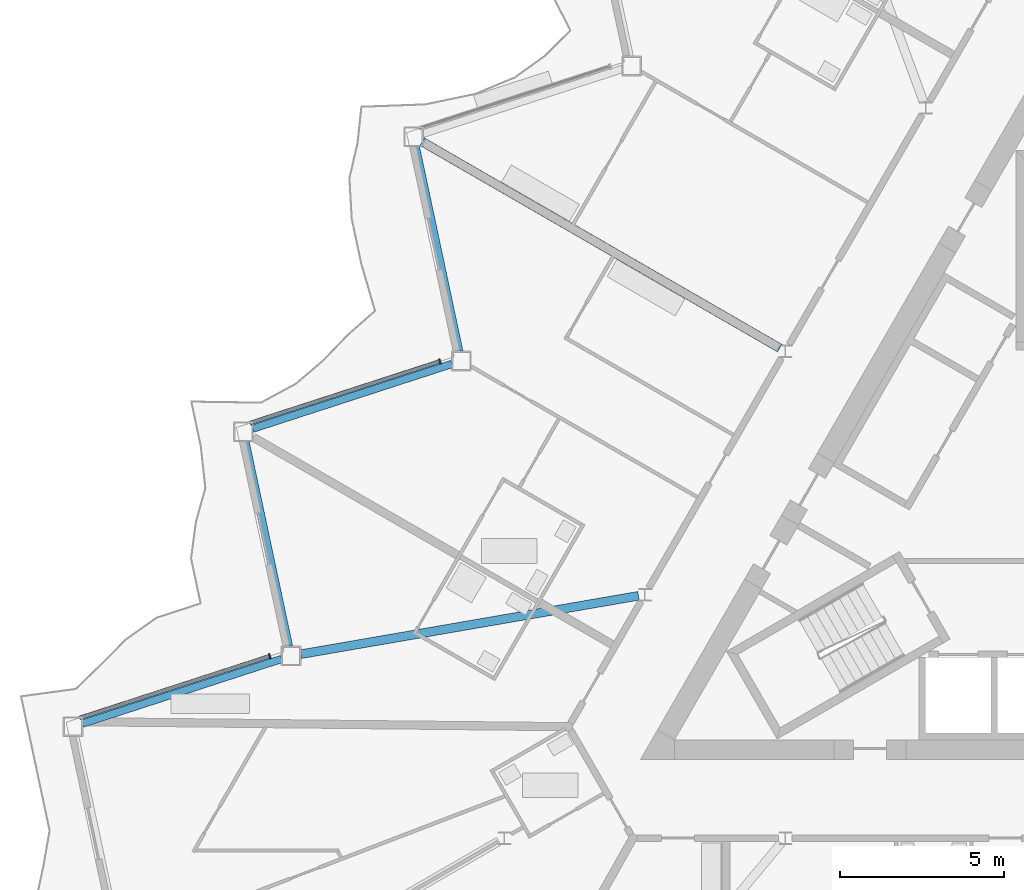
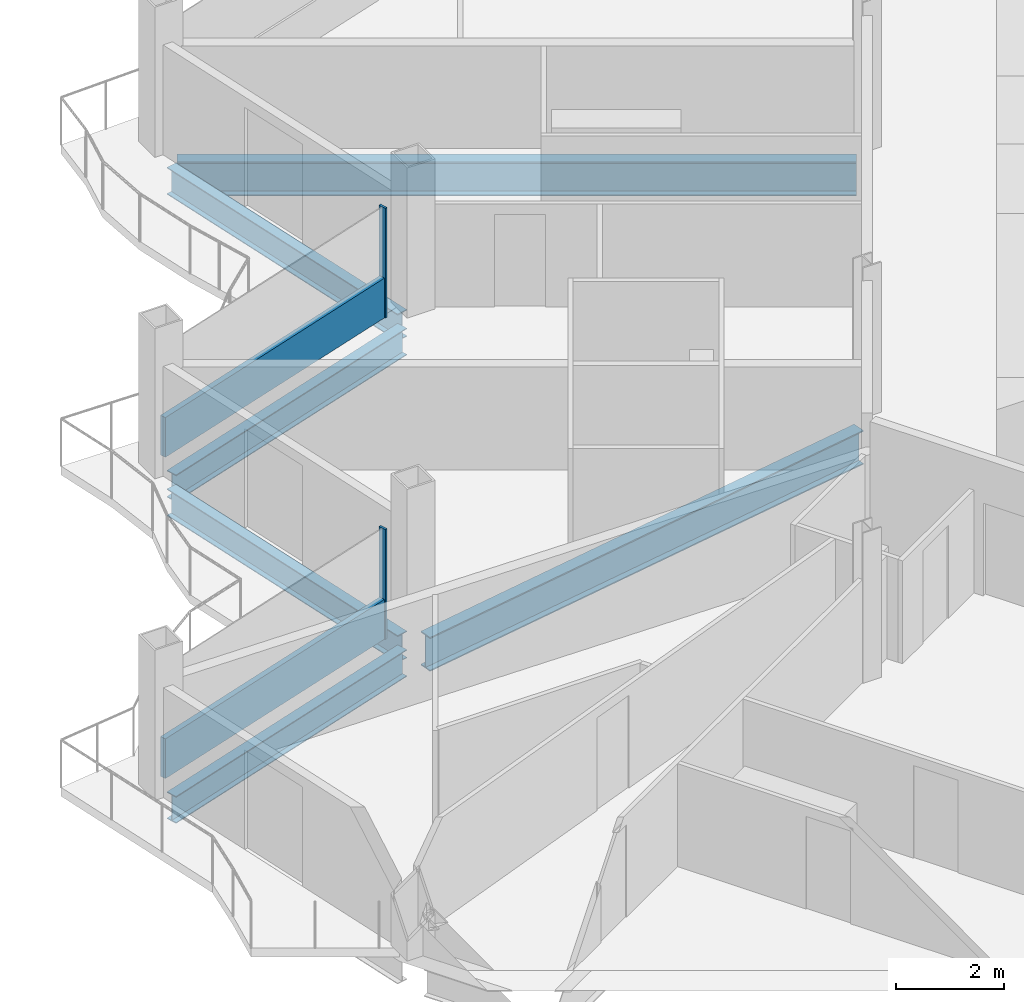
# One storey, part 6 of 27: 6 beams, 4 members, 2 elements without a shape of their own.
"""IFC4 building model written with IfcOpenShell, lengths in metres."""

from ifc_helpers import new_model, si_unit, direction, frame, origin, origin_2d, place, context, subcontext, project, spatial, rectangle, i_section, extrude, material, layer, layer_set, material_profile, profile_set, type_object, element, aggregate, save


model = new_model("IFC4")

# Units and contexts
model_context = context("Model", 3, precision=1e-05, world=origin(), true_north=direction((0.0, 1.0)))
body_context = subcontext(model_context, "Body", "Model", "MODEL_VIEW")
ifc_project = project(units=[si_unit("LENGTHUNIT", "METRE"), si_unit("AREAUNIT", "SQUARE_METRE"), si_unit("VOLUMEUNIT", "CUBIC_METRE"), si_unit("PLANEANGLEUNIT", "RADIAN"), si_unit("MASSUNIT", "GRAM", prefix="KILO")], contexts=[model_context])

# Site, building, storey
site_placement = place(None, origin())
site = spatial("IfcSite", under=ifc_project, at=site_placement, CompositionType="ELEMENT")
building_placement = place(site_placement, origin())
building = spatial("IfcBuilding", under=site, at=building_placement, Name="Cormorant Prow Tower", CompositionType="ELEMENT")
storey_placement = place(building_placement, frame((0.0, 0.0, 335.800048828125)))
storey = spatial("IfcBuildingStorey", under=building, at=storey_placement, Name="L75", CompositionType="ELEMENT", Elevation=335.800048828125)

# Beams
ifc_material_1 = material(Name="Structural steel ASTM A992 Gr 50", Category="steel")
ifc_material_profile_1 = material_profile(ifc_material_1, i_section(OverallWidth=0.267822265625, OverallDepth=0.77001953125, WebThickness=0.015625, FlangeThickness=0.025390625, at=origin_2d()), Name="W30x132")
ifc_profile_set_1 = profile_set([ifc_material_profile_1], Name="Structural steel ASTM A992 Gr 50")
beam_type_1 = type_object("IfcBeamType", Name="Radial floor beam W30x132", PredefinedType="BEAM", material=ifc_profile_set_1)
beam_1_placement = place(storey_placement, frame((-8.749755859375, 5.051513671875, -0.68505859375), z_axis=(-0.866021086443, 0.50000747778, 0.0), x_axis=(-0.50000747778, -0.866021086443, 0.0)))
element("IfcBeam", 1, at=beam_1_placement, inside=storey, type_object=beam_type_1, Name="Radial floor beam FB3 3 L75", PredefinedType="BEAM", context=body_context, shape_type="SweptSolid", body=[
    extrude(i_section(OverallWidth=0.267822265625, OverallDepth=0.77001953125, WebThickness=0.015625, FlangeThickness=0.025390625, at=origin_2d()), origin(), (0.0, 0.0, 1.0), 12.604736328125),
])
beam_2_placement = place(storey_placement, frame((-13.0625, -2.510009765625, -0.68505859375), z_axis=(-0.985379592304, -0.170373293304, 0.0), x_axis=(0.170373293304, -0.985379592304, 0.0)))
element("IfcBeam", 2, at=beam_2_placement, inside=storey, type_object=beam_type_1, Name="Radial floor beam FB3 4 L75", PredefinedType="BEAM", context=body_context, shape_type="SweptSolid", body=[
    extrude(i_section(OverallWidth=0.267822265625, OverallDepth=0.77001953125, WebThickness=0.015625, FlangeThickness=0.025390625, at=origin_2d()), origin(), (0.0, 0.0, 1.0), 10.465087890625),
])

# Curtain wall, member
ifc_material_2 = material(Name="Aluminium 6063-T6", Category="aluminium")
ifc_layer = layer(ifc_material_2, 0.159912109375)
ifc_layer_set = layer_set([ifc_layer], Name="Aluminium 6063-T6")
curtain_wall_type = type_object("IfcCurtainWallType", Name="Residential unitised curtain wall 160", PredefinedType="NOTDEFINED", material=ifc_layer_set)
curtain_wall_1_placement = place(storey_placement, origin())
curtain_wall_1 = element("IfcCurtainWall", 3, at=curtain_wall_1_placement, inside=storey, type_object=curtain_wall_type, Name="Residential curtain wall WNW06", PredefinedType="NOTDEFINED")
ifc_material_3 = material(Name="Aluminium 6063-T6", Category="aluminium")
ifc_material_profile_2 = material_profile(ifc_material_3, rectangle(XDim=0.159912109375, YDim=0.050048828125, at=origin_2d()), Name="Residential mullion 50x160")
ifc_profile_set_2 = profile_set([ifc_material_profile_2], Name="Aluminium 6063-T6")
member_type_1 = type_object("IfcMemberType", Name="Residential mullion 50x160", PredefinedType="MULLION", material=ifc_profile_set_2)
member_1_placement = place(storey_placement, frame((-19.12353515625, 4.64697265625, 0.0), z_axis=(0.0, 0.0, 1.0), x_axis=(0.309017007173, -0.951056512137, 0.0)))
member_1 = element("IfcMember", 4, at=member_1_placement, type_object=member_type_1, Name="Residential mullion WNW06", PredefinedType="MULLION", context=body_context, shape_type="SweptSolid", body=[
    extrude(rectangle(XDim=0.159912109375, YDim=0.050048828125, at=origin_2d()), origin(), (0.0, 0.0, 1.0), 2.48779296875),
])

curtain_wall_2_placement = place(storey_placement, origin())
curtain_wall_2 = element("IfcCurtainWall", 5, at=curtain_wall_2_placement, inside=storey, type_object=curtain_wall_type, Name="Residential curtain wall WNW08", PredefinedType="NOTDEFINED")
member_2_placement = place(storey_placement, frame((-24.31982421875, -4.353271484375, 0.0), z_axis=(0.0, 0.0, 1.0), x_axis=(0.309017007173, -0.951056512137, 0.0)))
member_2 = element("IfcMember", 6, at=member_2_placement, type_object=member_type_1, Name="Residential mullion WNW08", PredefinedType="MULLION", context=body_context, shape_type="SweptSolid", body=[
    extrude(rectangle(XDim=0.159912109375, YDim=0.050048828125, at=origin_2d()), origin(), (0.0, 0.0, 1.0), 2.48779296875),
])

# Member
ifc_material_4 = material(Name="Terracotta", Category="masonry")
ifc_material_profile_3 = material_profile(ifc_material_4, rectangle(XDim=0.1201171875, YDim=0.89990234375, at=origin_2d()), Name="Residential terracotta spandrel rail 120x900")
ifc_profile_set_3 = profile_set([ifc_material_profile_3], Name="Terracotta")
member_type_2 = type_object("IfcMemberType", Name="Residential terracotta spandrel rail 120x900", PredefinedType="USERDEFINED", material=ifc_profile_set_3)
member_3_placement = place(storey_placement, frame((-19.147216796875, 4.63916015625, 0.449951171875), z_axis=(-0.951063305348, -0.308996099037, 0.0), x_axis=(0.308996099037, -0.951063305348, 0.0)))
member_3 = element("IfcMember", 7, at=member_3_placement, type_object=member_type_2, Name="Residential spandrel rail WNW06", ObjectType="TRANSOM", PredefinedType="USERDEFINED", context=body_context, shape_type="SweptSolid", body=[
    extrude(rectangle(XDim=0.1201171875, YDim=0.89990234375, at=origin_2d()), origin(), (0.0, 0.0, 1.0), 6.074462890625),
])

aggregate(curtain_wall_1, [member_1, member_3])

member_4_placement = place(storey_placement, frame((-24.343505859375, -4.361083984375, 0.449951171875), z_axis=(-0.951063305348, -0.308996099037, 0.0), x_axis=(0.308996099037, -0.951063305348, 0.0)))
member_4 = element("IfcMember", 8, at=member_4_placement, type_object=member_type_2, Name="Residential spandrel rail WNW08", ObjectType="TRANSOM", PredefinedType="USERDEFINED", context=body_context, shape_type="SweptSolid", body=[
    extrude(rectangle(XDim=0.1201171875, YDim=0.89990234375, at=origin_2d()), origin(), (0.0, 0.0, 1.0), 6.074462890625),
])

aggregate(curtain_wall_2, [member_2, member_4])

# Beams
ifc_material_5 = material(Name="Structural steel ASTM A992 Gr 50", Category="steel")
ifc_material_profile_4 = material_profile(ifc_material_5, i_section(OverallWidth=0.22900390625, OverallDepth=0.612060546875, WebThickness=0.011962890625, FlangeThickness=0.01953125, at=origin_2d()), Name="W24x84")
ifc_profile_set_4 = profile_set([ifc_material_profile_4], Name="Structural steel ASTM A992 Gr 50")
beam_type_2 = type_object("IfcBeamType", Name="Spandrel beam W24x84", PredefinedType="SPANDREL", material=ifc_profile_set_4)
beam_3_placement = place(storey_placement, frame((-19.86328125, 11.210693359375, -0.606201171875), z_axis=(0.20791262393, -0.978147402394, 0.0), x_axis=(0.978147402394, 0.20791262393, 0.0)))
element("IfcBeam", 9, at=beam_3_placement, inside=storey, type_object=beam_type_2, Name="Spandrel beam SB3 WNW05-WNW06 L75", PredefinedType="SPANDREL", context=body_context, shape_type="SweptSolid", body=[
    extrude(i_section(OverallWidth=0.22900390625, OverallDepth=0.612060546875, WebThickness=0.011962890625, FlangeThickness=0.01953125, at=origin_2d()), origin(), (0.0, 0.0, 1.0), 6.396240234375),
])
beam_4_placement = place(storey_placement, frame((-18.75634765625, 4.568115234375, -0.606201171875), z_axis=(-0.951064359156, -0.308992855489, 0.0), x_axis=(0.308992855489, -0.951064359156, 0.0)))
element("IfcBeam", 10, at=beam_4_placement, inside=storey, type_object=beam_type_2, Name="Spandrel beam SB3 WNW06-WNW07 L75", PredefinedType="SPANDREL", context=body_context, shape_type="SweptSolid", body=[
    extrude(i_section(OverallWidth=0.22900390625, OverallDepth=0.612060546875, WebThickness=0.011962890625, FlangeThickness=0.01953125, at=origin_2d()), origin(), (0.0, 0.0, 1.0), 6.39599609375),
])
beam_5_placement = place(storey_placement, frame((-25.062255859375, 2.20556640625, -0.606201171875), z_axis=(0.20791262393, -0.978147402394, 0.0), x_axis=(0.978147402394, 0.20791262393, 0.0)))
element("IfcBeam", 11, at=beam_5_placement, inside=storey, type_object=beam_type_2, Name="Spandrel beam SB3 WNW07-WNW08 L75", PredefinedType="SPANDREL", context=body_context, shape_type="SweptSolid", body=[
    extrude(i_section(OverallWidth=0.22900390625, OverallDepth=0.612060546875, WebThickness=0.011962890625, FlangeThickness=0.01953125, at=origin_2d()), origin(), (0.0, 0.0, 1.0), 6.396240234375),
])
beam_6_placement = place(storey_placement, frame((-23.955322265625, -4.43701171875, -0.606201171875), z_axis=(-0.951064359156, -0.308992855489, 0.0), x_axis=(0.308992855489, -0.951064359156, 0.0)))
element("IfcBeam", 12, at=beam_6_placement, inside=storey, type_object=beam_type_2, Name="Spandrel beam SB3 WNW08-WNW09 L75", PredefinedType="SPANDREL", context=body_context, shape_type="SweptSolid", body=[
    extrude(i_section(OverallWidth=0.22900390625, OverallDepth=0.612060546875, WebThickness=0.011962890625, FlangeThickness=0.01953125, at=origin_2d()), origin(), (0.0, 0.0, 1.0), 6.39599609375),
])

save(model, "model.ifc")
